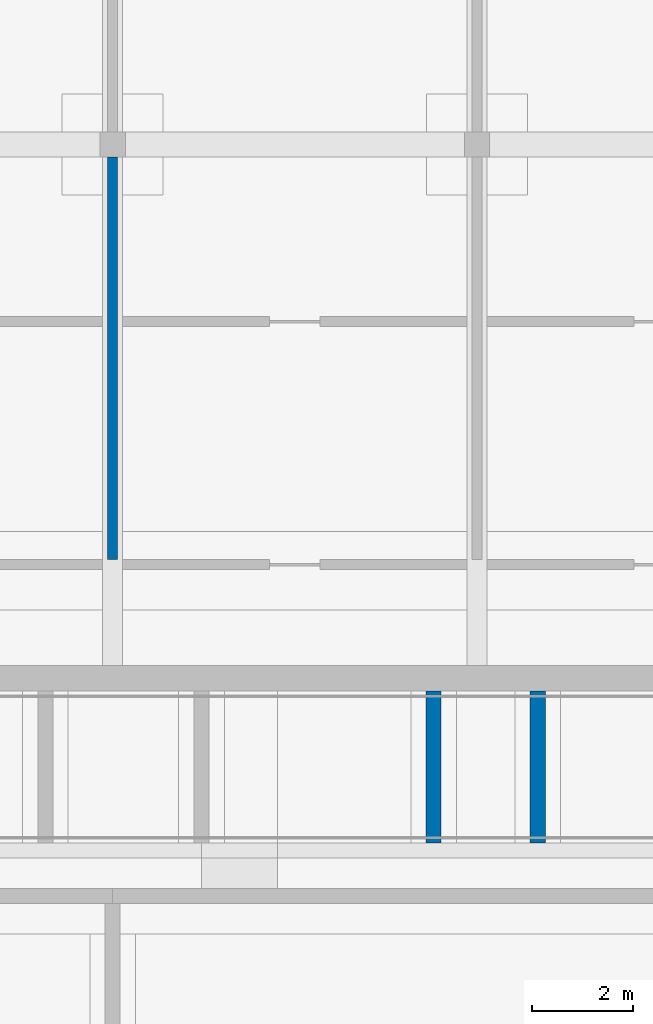
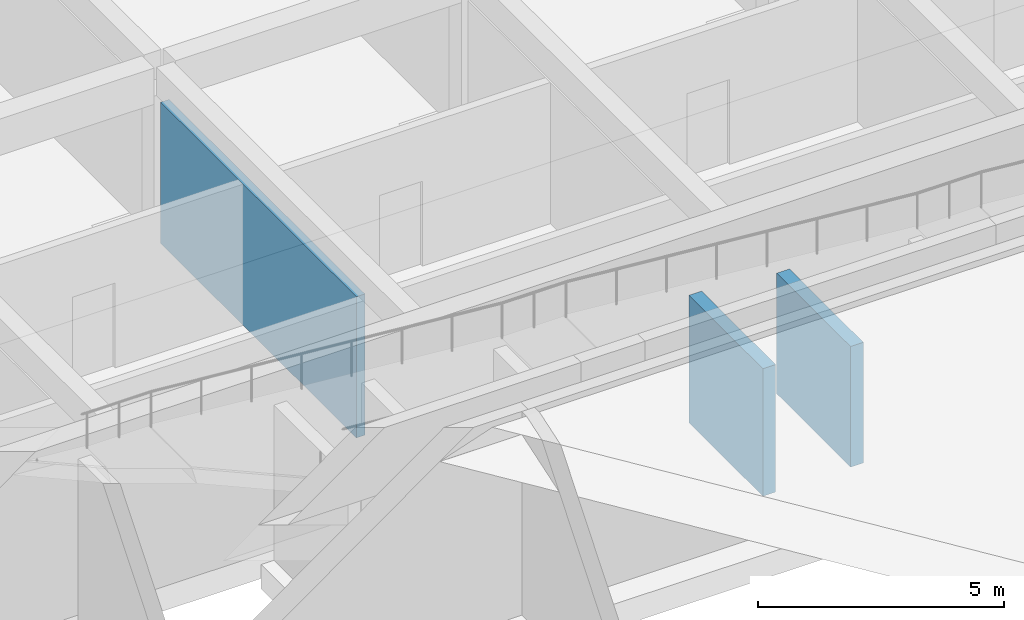
# One storey, part 33 of 73: 3 walls.
"""IFC4 building model written with IfcOpenShell, lengths in metres."""

from ifc_helpers import new_model, si_unit, direction, frame, frame_2d, origin, place, context, subcontext, project, spatial, rectangle, extrude, material, layer, layer_set, type_object, element, save


model = new_model("IFC4")

# Units and contexts
model_context = context("Model", 3, precision=1e-05, world=origin(), true_north=direction((0.0, 1.0)))
body_context = subcontext(model_context, "Body", "Model", "MODEL_VIEW")
ifc_project = project(units=[si_unit("LENGTHUNIT", "METRE"), si_unit("AREAUNIT", "SQUARE_METRE"), si_unit("VOLUMEUNIT", "CUBIC_METRE"), si_unit("PLANEANGLEUNIT", "RADIAN"), si_unit("MASSUNIT", "GRAM", prefix="KILO")], contexts=[model_context])

# Site, building, storey
site_placement = place(None, origin())
site = spatial("IfcSite", under=ifc_project, at=site_placement, CompositionType="ELEMENT")
building_placement = place(site_placement, origin())
building = spatial("IfcBuilding", under=site, at=building_placement, Name="Alderwick Market Hall", CompositionType="ELEMENT")
storey_placement = place(building_placement, origin())
storey = spatial("IfcBuildingStorey", under=building, at=storey_placement, Name="LG", CompositionType="ELEMENT", Elevation=0.0)

# Walls
ifc_material_1 = material(Name="Concrete masonry 3000 psi", Category="masonry")
ifc_layer_1 = layer(ifc_material_1, 0.199951171875)
ifc_layer_set_1 = layer_set([ifc_layer_1], Name="Concrete masonry 3000 psi")
wall_type_1 = type_object("IfcWallType", Name="A Masonry Partition 200", PredefinedType="PARTITIONING", material=ifc_layer_set_1)
wall_1_placement = place(storey_placement, frame((100.800048828125, 20.60009765625, 0.0), z_axis=(0.0, 0.0, 1.0), x_axis=(0.0, 1.0, 0.0)))
element("IfcWall", 1, at=wall_1_placement, inside=storey, type_object=wall_type_1, Name="A.S.wall.037", PredefinedType="PARTITIONING", context=body_context, shape_type="SweptSolid", body=[
    extrude(rectangle(XDim=7.949951171875, YDim=0.199951171875, at=frame_2d((3.97509765625, 0.0))), origin(), (0.0, 0.0, 1.0), 3.5),
])
ifc_material_2 = material(Name="Concrete 5000 psi (f'c 35 MPa)", Category="concrete")
ifc_layer_2 = layer(ifc_material_2, 0.300048828125)
ifc_layer_set_2 = layer_set([ifc_layer_2], Name="Concrete 5000 psi (f'c 35 MPa)")
wall_type_2 = type_object("IfcWallType", Name="S Retaining Wall 300", PredefinedType="SOLIDWALL", material=ifc_layer_set_2)
wall_2_placement = place(storey_placement, frame((109.2001953125, 15.0, -0.25), z_axis=(0.0, 0.0, 1.0), x_axis=(0.0, 1.0, 0.0)))
element("IfcWall", 2, at=wall_2_placement, inside=storey, type_object=wall_type_2, Name="Ramp support wall S5b", PredefinedType="SOLIDWALL", context=body_context, shape_type="SweptSolid", body=[
    extrude(rectangle(XDim=3.0, YDim=0.300048828125, at=frame_2d((1.5, 0.0))), origin(), (0.0, 0.0, 1.0), 2.987548828125),
])
wall_3_placement = place(storey_placement, frame((107.142822265625, 15.0, -0.25), z_axis=(0.0, 0.0, 1.0), x_axis=(0.0, 1.0, 0.0)))
element("IfcWall", 3, at=wall_3_placement, inside=storey, type_object=wall_type_2, Name="Ramp support wall S5d", PredefinedType="SOLIDWALL", context=body_context, shape_type="SweptSolid", body=[
    extrude(rectangle(XDim=3.0, YDim=0.300048828125, at=frame_2d((1.5, 0.0))), origin(), (0.0, 0.0, 1.0), 3.158935546875),
])

save(model, "model.ifc")
